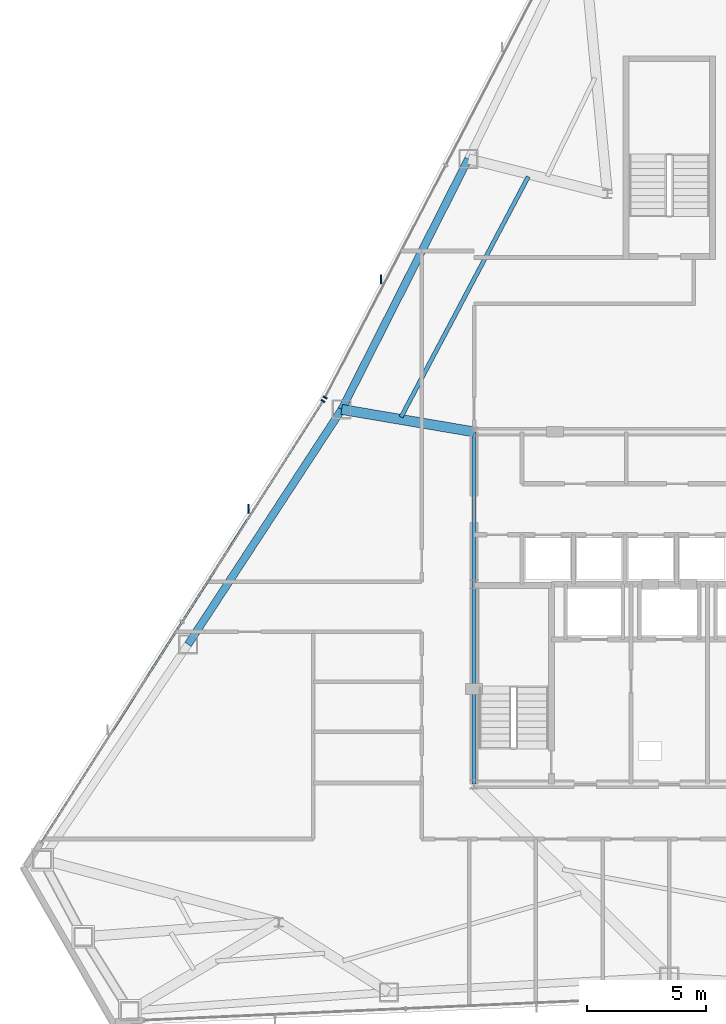
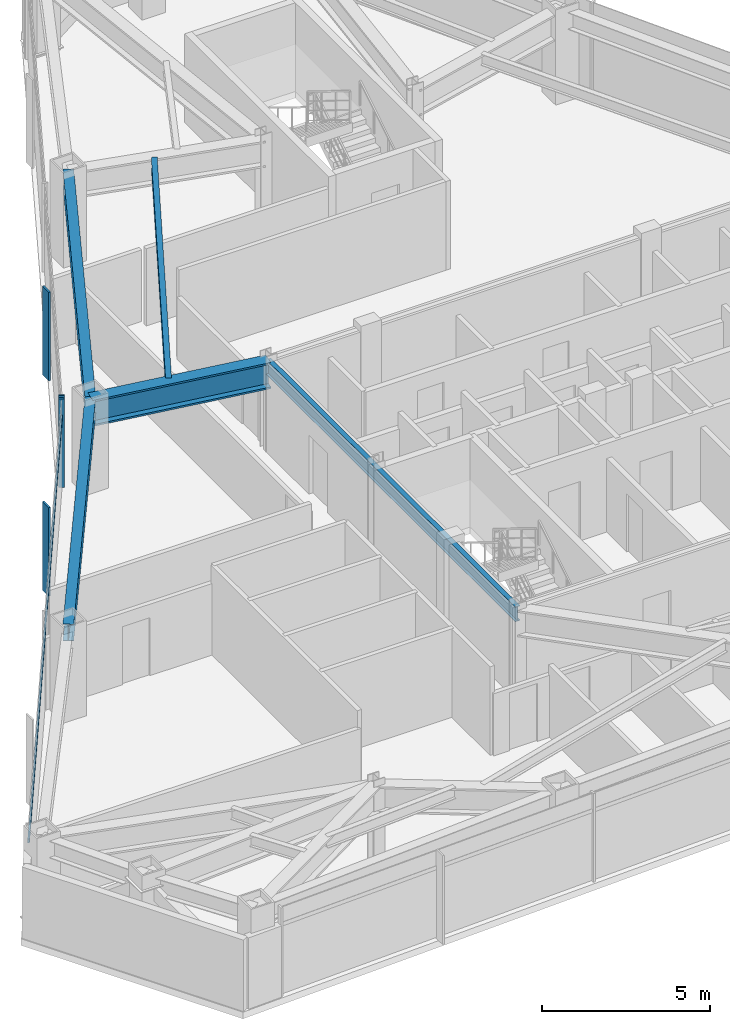
# One storey, part 5 of 13: 5 beams, 5 members, 2 elements without a shape of their own.
"""IFC4 building model written with IfcOpenShell, lengths in metres."""

from ifc_helpers import new_model, si_unit, direction, frame, origin, origin_2d, place, context, subcontext, project, spatial, rectangle, i_section, extrude, source, transform, mapped, material, layer, layer_set, material_profile, profile_set, type_object, type_shapes, element, aggregate, save


model = new_model("IFC4")

# Units and contexts
model_context = context("Model", 3, precision=1e-05, world=origin(), true_north=direction((0.0, 1.0)))
body_context = subcontext(model_context, "Body", "Model", "MODEL_VIEW")
ifc_project = project(units=[si_unit("LENGTHUNIT", "METRE"), si_unit("AREAUNIT", "SQUARE_METRE"), si_unit("VOLUMEUNIT", "CUBIC_METRE"), si_unit("PLANEANGLEUNIT", "RADIAN"), si_unit("MASSUNIT", "GRAM", prefix="KILO")], contexts=[model_context])

# Site, building, storey
site_placement = place(None, origin())
site = spatial("IfcSite", under=ifc_project, at=site_placement, CompositionType="ELEMENT")
building_placement = place(site_placement, origin())
building = spatial("IfcBuilding", under=site, at=building_placement, Name="Varakhsha Concourse Tower", CompositionType="ELEMENT")
storey_placement = place(building_placement, frame((0.0, 0.0, 182.699951171875)))
storey = spatial("IfcBuildingStorey", under=building, at=storey_placement, Name="L52", CompositionType="ELEMENT", Elevation=182.699951171875)

# Beams
ifc_material_1 = material(Name="Structural Steel ASTM A992 Grade 50", Category="steel")
ifc_material_profile_1 = material_profile(ifc_material_1, i_section(OverallWidth=0.177978515625, OverallDepth=0.406982421875, WebThickness=0.008056640625, FlangeThickness=0.012939453125, at=origin_2d()), Name="W16X40")
ifc_profile_set_1 = profile_set([ifc_material_profile_1], Name="Structural Steel ASTM A992 Grade 50")
beam_type_1 = type_object("IfcBeamType", Name="BM-JST-W16X40", PredefinedType="JOIST", material=ifc_profile_set_1)
beam_1_placement = place(storey_placement, frame((34.079833984375, 41.9248046875, 3.006591796875), z_axis=(-0.467543058514, -0.88397029839, 0.0), x_axis=(0.88397029839, -0.467543058514, 0.0)))
element("IfcBeam", 1, at=beam_1_placement, inside=storey, type_object=beam_type_1, Name="BM-TJST-L52-04", PredefinedType="JOIST", context=body_context, shape_type="SweptSolid", body=[
    extrude(i_section(OverallWidth=0.177978515625, OverallDepth=0.406982421875, WebThickness=0.008056640625, FlangeThickness=0.012939453125, at=origin_2d()), origin(), (0.0, 0.0, 1.0), 11.4248046875),
])
ifc_material_profile_2 = material_profile(ifc_material_1, i_section(OverallWidth=0.423095703125, OverallDepth=0.947998046875, WebThickness=0.0380859375, FlangeThickness=0.06396484375, at=origin_2d()), Name="W36X302")
ifc_profile_set_2 = profile_set([ifc_material_profile_2], Name="Structural Steel ASTM A992 Grade 50")
beam_type_2 = type_object("IfcBeamType", Name="BM-OUTR-W36X302", PredefinedType="USERDEFINED", material=ifc_profile_set_2)
beam_2_placement = place(storey_placement, frame((31.800048828125, 31.199951171875, 2.736083984375), z_axis=(-0.985890879111, 0.167389290235, 0.0), x_axis=(-0.167389290235, -0.985890879111, 0.0)))
element("IfcBeam", 2, at=beam_2_placement, inside=storey, type_object=beam_type_2, Name="L52 Radial Floor Girder 05", ObjectType="GIRDER", PredefinedType="USERDEFINED", context=body_context, shape_type="SweptSolid", body=[
    extrude(i_section(OverallWidth=0.423095703125, OverallDepth=0.947998046875, WebThickness=0.0380859375, FlangeThickness=0.06396484375, at=origin_2d()), origin(), (0.0, 0.0, 1.0), 5.638671875),
])
ifc_material_profile_3 = material_profile(ifc_material_1, i_section(OverallWidth=0.1669921875, OverallDepth=0.534912109375, WebThickness=0.010009765625, FlangeThickness=0.01708984375, at=origin_2d()), Name="W21X57")
ifc_profile_set_3 = profile_set([ifc_material_profile_3], Name="Structural Steel ASTM A992 Grade 50")
beam_type_3 = type_object("IfcBeamType", Name="BM-RAD-W21X57", PredefinedType="BEAM", material=ifc_profile_set_3)
beam_3_placement = place(storey_placement, frame((31.800048828125, 16.39990234375, 2.942626953125), z_axis=(0.0, 1.0, 0.0), x_axis=(-1.0, 0.0, 0.0)))
element("IfcBeam", 3, at=beam_3_placement, inside=storey, type_object=beam_type_3, Name="BM-TCORE-L52-CW", PredefinedType="BEAM", context=body_context, shape_type="SweptSolid", body=[
    extrude(i_section(OverallWidth=0.1669921875, OverallDepth=0.534912109375, WebThickness=0.010009765625, FlangeThickness=0.01708984375, at=origin_2d()), origin(), (0.0, 0.0, 1.0), 14.800048828125),
])
ifc_material_profile_4 = material_profile(ifc_material_1, i_section(OverallWidth=0.323974609375, OverallDepth=0.611083984375, WebThickness=0.012939453125, FlangeThickness=0.01904296875, at=origin_2d()), Name="W24X104")
ifc_profile_set_4 = profile_set([ifc_material_profile_4], Name="Structural Steel ASTM A992 Grade 50")
beam_type_4 = type_object("IfcBeamType", Name="BM-SPAN-W24X104", PredefinedType="SPANDREL", material=ifc_profile_set_4)
beam_4_placement = place(storey_placement, frame((31.56298828125, 42.668212890625, 2.904541015625), z_axis=(-0.451266437973, -0.892389265937, 0.0), x_axis=(0.892389265937, -0.451266437973, 0.0)))
element("IfcBeam", 4, at=beam_4_placement, inside=storey, type_object=beam_type_4, Name="BM-SPAN-L52-04", PredefinedType="SPANDREL", context=body_context, shape_type="SweptSolid", body=[
    extrude(i_section(OverallWidth=0.323974609375, OverallDepth=0.611083984375, WebThickness=0.012939453125, FlangeThickness=0.01904296875, at=origin_2d()), origin(), (0.0, 0.0, 1.0), 11.79345703125),
])
beam_5_placement = place(storey_placement, frame((26.240966796875, 32.143798828125, 2.904541015625), z_axis=(-0.547191913487, -0.837007174291, 0.0), x_axis=(0.837007174291, -0.547191913487, 0.0)))
element("IfcBeam", 5, at=beam_5_placement, inside=storey, type_object=beam_type_4, Name="BM-SPAN-L52-05", PredefinedType="SPANDREL", context=body_context, shape_type="SweptSolid", body=[
    extrude(i_section(OverallWidth=0.323974609375, OverallDepth=0.611083984375, WebThickness=0.012939453125, FlangeThickness=0.01904296875, at=origin_2d()), origin(), (0.0, 0.0, 1.0), 11.793701171875),
])

# Curtain wall, member
ifc_material_2 = material(Name="Anodised Bronze Architectural Aluminium AA 6063-T6", Category="aluminium")
ifc_layer = layer(ifc_material_2, 0.2099609375, Name="CW-SYS-04")
ifc_layer_set = layer_set([ifc_layer], Name="Anodised Bronze Architectural Aluminium AA 6063-T6")
curtain_wall_type = type_object("IfcCurtainWallType", Name="CW-SYS-04", PredefinedType="NOTDEFINED", material=ifc_layer_set)
curtain_wall_1_placement = place(storey_placement, origin())
curtain_wall_1 = element("IfcCurtainWall", 6, at=curtain_wall_1_placement, inside=storey, type_object=curtain_wall_type, Name="L52 Crystal Curtain Wall F2", PredefinedType="NOTDEFINED")
ifc_material_profile_5 = material_profile(ifc_material_2, rectangle(XDim=0.06005859375, YDim=0.3798828125, at=origin_2d()), Name="FIN-BRZ-380")
ifc_profile_set_5 = profile_set([ifc_material_profile_5], Name="Anodised Bronze Architectural Aluminium AA 6063-T6")
member_type_1 = type_object("IfcMemberType", Name="FIN-BRZ-380", PredefinedType="USERDEFINED", material=ifc_profile_set_5)
shared_shape_1 = source(origin(), body_context, "Body", "SweptSolid", [
    extrude(rectangle(XDim=0.06005859375, YDim=0.3798828125, at=origin_2d()), origin(), (0.0, 0.0, 1.0), 3.2099609375),
])
type_shapes(member_type_1, [shared_shape_1])
member_1_placement = place(storey_placement, frame((27.8974609375, 37.620849609375, 0.0), z_axis=(0.0, 0.0, 1.0), x_axis=(1.0, 0.0, 0.0)))
member_1 = element("IfcMember", 7, at=member_1_placement, type_object=member_type_1, Name="L52 Anodised Bronze Solar Fin F2-1", ObjectType="SOLAR FIN", PredefinedType="USERDEFINED", context=body_context, shape_type="MappedRepresentation", body=[
    mapped(shared_shape_1, transform((0.0, 0.0, 0.0), scale=1.0)),
])

curtain_wall_2_placement = place(storey_placement, origin())
curtain_wall_2 = element("IfcCurtainWall", 8, at=curtain_wall_2_placement, inside=storey, type_object=curtain_wall_type, Name="L52 Crystal Curtain Wall F3", PredefinedType="NOTDEFINED")
member_2_placement = place(storey_placement, frame((22.325927734375, 27.970703125, 0.0), z_axis=(0.0, 0.0, 1.0), x_axis=(1.0, 0.0, 0.0)))
member_2 = element("IfcMember", 9, at=member_2_placement, type_object=member_type_1, Name="L52 Anodised Bronze Solar Fin F3-2", ObjectType="SOLAR FIN", PredefinedType="USERDEFINED", context=body_context, shape_type="MappedRepresentation", body=[
    mapped(shared_shape_1, transform((0.0, 0.0, 0.0), scale=1.0)),
])

# Member
ifc_material_profile_6 = material_profile(ifc_material_2, rectangle(XDim=0.06494140625, YDim=0.179931640625, at=origin_2d()), Name="CWM-180X65")
ifc_profile_set_6 = profile_set([ifc_material_profile_6], Name="Anodised Bronze Architectural Aluminium AA 6063-T6")
member_type_2 = type_object("IfcMemberType", Name="CWM-180X65", PredefinedType="MULLION", material=ifc_profile_set_6)
shared_shape_2 = source(origin(), body_context, "Body", "SweptSolid", [
    extrude(rectangle(XDim=0.06494140625, YDim=0.179931640625, at=origin_2d()), origin(), (0.0, 0.0, 1.0), 3.2099609375),
])
type_shapes(member_type_2, [shared_shape_2])
member_3_placement = place(storey_placement, frame((25.54345703125, 32.64697265625, 0.0), z_axis=(0.0, 0.0, 1.0), x_axis=(0.461155577875, 0.887319295967, 0.0)))
member_3 = element("IfcMember", 10, at=member_3_placement, type_object=member_type_2, Name="CW-L52-F2 Mullion 00", PredefinedType="MULLION", context=body_context, shape_type="MappedRepresentation", body=[
    mapped(shared_shape_2, transform((0.0, 0.0, 0.0), scale=1.0)),
])

aggregate(curtain_wall_1, [member_3, member_1])

member_4_placement = place(storey_placement, frame((25.45654296875, 32.49609375, 0.0), z_axis=(0.0, 0.0, 1.0), x_axis=(0.537863262638, 0.84303209352, 0.0)))
member_4 = element("IfcMember", 11, at=member_4_placement, type_object=member_type_2, Name="CW-L52-F3 Mullion 02", PredefinedType="MULLION", context=body_context, shape_type="MappedRepresentation", body=[
    mapped(shared_shape_2, transform((0.0, 0.0, 0.0), scale=1.0)),
])

ifc_material_profile_7 = material_profile(ifc_material_2, rectangle(XDim=0.06005859375, YDim=0.139892578125, at=origin_2d()), Name="CWT-140X60")
ifc_profile_set_7 = profile_set([ifc_material_profile_7], Name="Anodised Bronze Architectural Aluminium AA 6063-T6")
member_type_3 = type_object("IfcMemberType", Name="CWT-140X60", PredefinedType="USERDEFINED", material=ifc_profile_set_7)
shared_shape_3 = source(origin(), body_context, "Body", "SweptSolid", [
    extrude(rectangle(XDim=0.06005859375, YDim=0.139892578125, at=origin_2d()), origin(), (0.0, 0.0, 1.0), 21.99609375),
])
type_shapes(member_type_3, [shared_shape_3])
member_5_placement = place(storey_placement, frame((13.62548828125, 13.952880859375, 2.56005859375), z_axis=(0.537872683916, 0.843026082572, 0.0), x_axis=(-0.843026082572, 0.537872683916, 0.0)))
member_5 = element("IfcMember", 12, at=member_5_placement, type_object=member_type_3, Name="CW-L52-F3 Transom 01", ObjectType="TRANSOM", PredefinedType="USERDEFINED", context=body_context, shape_type="MappedRepresentation", body=[
    mapped(shared_shape_3, transform((0.0, 0.0, 0.0), scale=1.0)),
])

aggregate(curtain_wall_2, [member_4, member_5, member_2])

save(model, "model.ifc")
